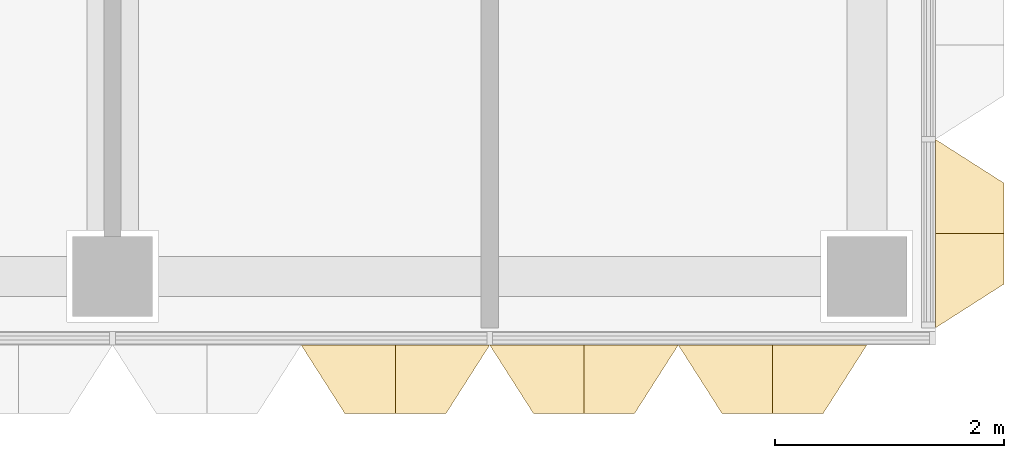
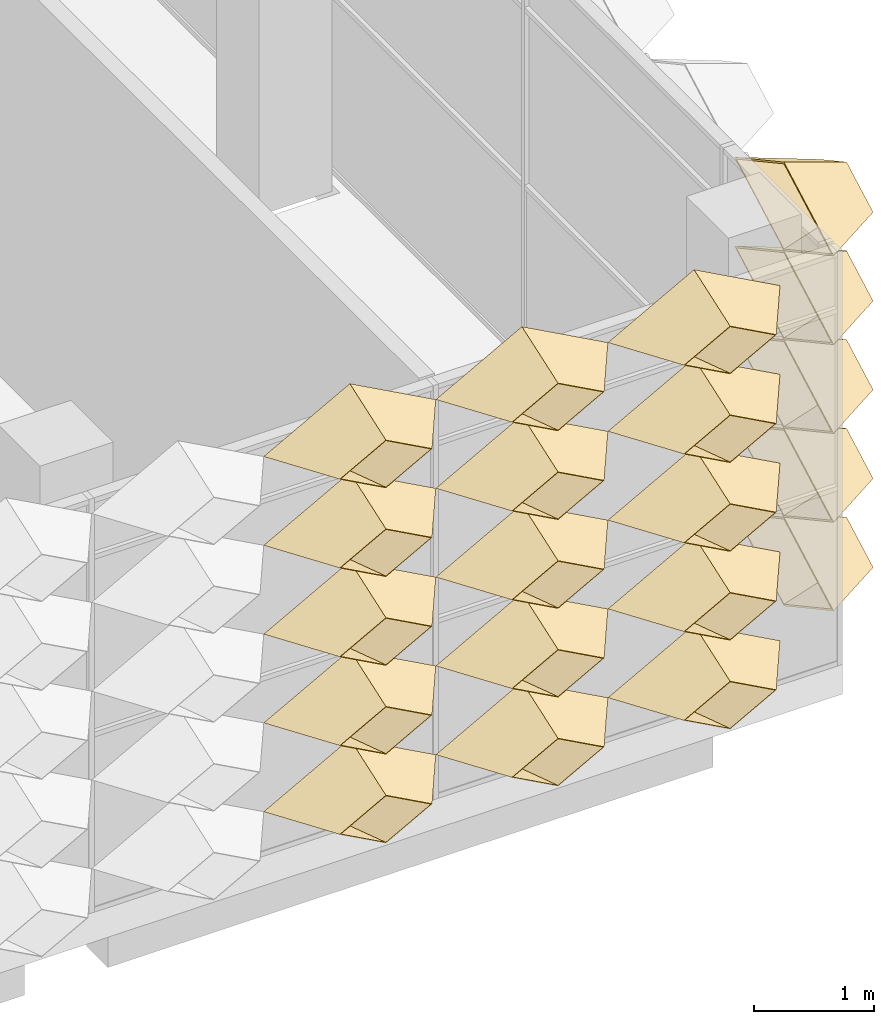
# One storey, part 17 of 29: 20 coverings.
"""IFC4 building model written with IfcOpenShell, lengths in metres."""

from ifc_helpers import new_model, entity, si_unit, direction, frame, origin, place, context, subcontext, project, spatial, material, layer, layer_set, type_object, element, save


model = new_model("IFC4")

# Units and contexts
model_context = context("Model", 3, precision=1e-05, world=origin(), true_north=direction((0.0, 1.0)))
body_context = subcontext(model_context, "Body", "Model", "MODEL_VIEW")
ifc_project = project(units=[si_unit("LENGTHUNIT", "METRE"), si_unit("AREAUNIT", "SQUARE_METRE"), si_unit("VOLUMEUNIT", "CUBIC_METRE"), si_unit("PLANEANGLEUNIT", "RADIAN"), si_unit("MASSUNIT", "GRAM", prefix="KILO")], contexts=[model_context])

# Site, building, storey
site_placement = place(None, origin())
site = spatial("IfcSite", under=ifc_project, at=site_placement, CompositionType="ELEMENT")
building_placement = place(site_placement, origin())
building = spatial("IfcBuilding", under=site, at=building_placement, Name="Lantern Court Research Institute", CompositionType="ELEMENT")
storey_placement = place(building_placement, frame((0.0, 0.0, 32.39990234375)))
storey = spatial("IfcBuildingStorey", under=building, at=storey_placement, Name="L07", CompositionType="ELEMENT", Elevation=32.39990234375)

# Coverings
ifc_material = material(Name="Anodised aluminium", Category="aluminium")
ifc_layer = layer(ifc_material, 0.01611328125)
ifc_layer_set = layer_set([ifc_layer], Name="Anodised aluminium")
covering_type = type_object("IfcCoveringType", Name="Fin cassette 1650 x 900 x 600 aluminium", PredefinedType="CLADDING", material=ifc_layer_set)
covering_1_placement = place(storey_placement, frame((79.800048828125, -7.425048828125, 0.4501953125), z_axis=(1.0, 0.0, 0.0), x_axis=(0.0, 1.0, 0.0)))
cartesian_point_1 = entity("IfcCartesianPoint", [0.824951171875, 0.0])
cartesian_point_2 = entity("IfcCartesianPoint", [0.79150390625, 0.0])
cartesian_point_3 = entity("IfcCartesianPoint", [0.44189453125, 0.0])
cartesian_point_4 = entity("IfcCartesianPoint", [0.43359375, 0.0])
element("IfcCovering", 1, at=covering_1_placement, inside=storey, type_object=covering_type, Name="Fin cassette V5E-L07 1.-4", PredefinedType="CLADDING", context=body_context, shape_type="SweptSolid", body=[
    entity("IfcExtrudedAreaSolidTapered", entity("IfcArbitraryProfileDefWithVoids", "AREA", None, entity("IfcPolyline", [cartesian_point_1, entity("IfcCartesianPoint", [0.0, 0.449951171875]), entity("IfcCartesianPoint", [-0.824951171875, 0.0]), entity("IfcCartesianPoint", [0.0, -0.449951171875]), cartesian_point_1]), [entity("IfcPolyline", [cartesian_point_2, entity("IfcCartesianPoint", [0.0, 0.431884765625]), entity("IfcCartesianPoint", [-0.79150390625, 0.0]), entity("IfcCartesianPoint", [0.0, -0.431884765625]), cartesian_point_2])]), entity("IfcAxis2Placement3D", entity("IfcCartesianPoint", [0.0, 0.0, 0.0])), entity("IfcDirection", [0.0, 0.0, 1.0]), 0.60009765625, entity("IfcArbitraryProfileDefWithVoids", "AREA", None, entity("IfcPolyline", [cartesian_point_3, entity("IfcCartesianPoint", [0.0, 0.240966796875]), entity("IfcCartesianPoint", [-0.44189453125, 0.0]), entity("IfcCartesianPoint", [0.0, -0.240966796875]), cartesian_point_3]), [entity("IfcPolyline", [cartesian_point_4, entity("IfcCartesianPoint", [0.0, 0.236572265625]), entity("IfcCartesianPoint", [-0.43359375, 0.0]), entity("IfcCartesianPoint", [0.0, -0.236572265625]), cartesian_point_4])])),
])
covering_2_placement = place(storey_placement, frame((79.800048828125, -7.425048828125, 1.35009765625), z_axis=(1.0, 0.0, 0.0), x_axis=(0.0, 1.0, 0.0)))
cartesian_point_5 = entity("IfcCartesianPoint", [0.824951171875, 0.0])
cartesian_point_6 = entity("IfcCartesianPoint", [0.79150390625, 0.0])
cartesian_point_7 = entity("IfcCartesianPoint", [0.44189453125, 0.0])
cartesian_point_8 = entity("IfcCartesianPoint", [0.43359375, 0.0])
element("IfcCovering", 2, at=covering_2_placement, inside=storey, type_object=covering_type, Name="Fin cassette V5E-L07 2.-4", PredefinedType="CLADDING", context=body_context, shape_type="SweptSolid", body=[
    entity("IfcExtrudedAreaSolidTapered", entity("IfcArbitraryProfileDefWithVoids", "AREA", None, entity("IfcPolyline", [cartesian_point_5, entity("IfcCartesianPoint", [0.0, 0.449951171875]), entity("IfcCartesianPoint", [-0.824951171875, 0.0]), entity("IfcCartesianPoint", [0.0, -0.449951171875]), cartesian_point_5]), [entity("IfcPolyline", [cartesian_point_6, entity("IfcCartesianPoint", [0.0, 0.431884765625]), entity("IfcCartesianPoint", [-0.79150390625, 0.0]), entity("IfcCartesianPoint", [0.0, -0.431884765625]), cartesian_point_6])]), entity("IfcAxis2Placement3D", entity("IfcCartesianPoint", [0.0, 0.0, 0.0])), entity("IfcDirection", [0.0, 0.0, 1.0]), 0.60009765625, entity("IfcArbitraryProfileDefWithVoids", "AREA", None, entity("IfcPolyline", [cartesian_point_7, entity("IfcCartesianPoint", [0.0, 0.240966796875]), entity("IfcCartesianPoint", [-0.44189453125, 0.0]), entity("IfcCartesianPoint", [0.0, -0.240966796875]), cartesian_point_7]), [entity("IfcPolyline", [cartesian_point_8, entity("IfcCartesianPoint", [0.0, 0.236572265625]), entity("IfcCartesianPoint", [-0.43359375, 0.0]), entity("IfcCartesianPoint", [0.0, -0.236572265625]), cartesian_point_8])])),
])
covering_3_placement = place(storey_placement, frame((79.800048828125, -7.425048828125, 2.25), z_axis=(1.0, 0.0, 0.0), x_axis=(0.0, 1.0, 0.0)))
cartesian_point_9 = entity("IfcCartesianPoint", [0.824951171875, 0.0])
cartesian_point_10 = entity("IfcCartesianPoint", [0.79150390625, 0.0])
cartesian_point_11 = entity("IfcCartesianPoint", [0.44189453125, 0.0])
cartesian_point_12 = entity("IfcCartesianPoint", [0.43359375, 0.0])
element("IfcCovering", 3, at=covering_3_placement, inside=storey, type_object=covering_type, Name="Fin cassette V5E-L07 3.-4", PredefinedType="CLADDING", context=body_context, shape_type="SweptSolid", body=[
    entity("IfcExtrudedAreaSolidTapered", entity("IfcArbitraryProfileDefWithVoids", "AREA", None, entity("IfcPolyline", [cartesian_point_9, entity("IfcCartesianPoint", [0.0, 0.449951171875]), entity("IfcCartesianPoint", [-0.824951171875, 0.0]), entity("IfcCartesianPoint", [0.0, -0.449951171875]), cartesian_point_9]), [entity("IfcPolyline", [cartesian_point_10, entity("IfcCartesianPoint", [0.0, 0.431884765625]), entity("IfcCartesianPoint", [-0.79150390625, 0.0]), entity("IfcCartesianPoint", [0.0, -0.431884765625]), cartesian_point_10])]), entity("IfcAxis2Placement3D", entity("IfcCartesianPoint", [0.0, 0.0, 0.0])), entity("IfcDirection", [0.0, 0.0, 1.0]), 0.60009765625, entity("IfcArbitraryProfileDefWithVoids", "AREA", None, entity("IfcPolyline", [cartesian_point_11, entity("IfcCartesianPoint", [0.0, 0.240966796875]), entity("IfcCartesianPoint", [-0.44189453125, 0.0]), entity("IfcCartesianPoint", [0.0, -0.240966796875]), cartesian_point_11]), [entity("IfcPolyline", [cartesian_point_12, entity("IfcCartesianPoint", [0.0, 0.236572265625]), entity("IfcCartesianPoint", [-0.43359375, 0.0]), entity("IfcCartesianPoint", [0.0, -0.236572265625]), cartesian_point_12])])),
])
covering_4_placement = place(storey_placement, frame((79.800048828125, -7.425048828125, 3.150146484375), z_axis=(1.0, 0.0, 0.0), x_axis=(0.0, 1.0, 0.0)))
cartesian_point_13 = entity("IfcCartesianPoint", [0.824951171875, 0.0])
cartesian_point_14 = entity("IfcCartesianPoint", [0.79150390625, 0.0])
cartesian_point_15 = entity("IfcCartesianPoint", [0.44189453125, 0.0])
cartesian_point_16 = entity("IfcCartesianPoint", [0.43359375, 0.0])
element("IfcCovering", 4, at=covering_4_placement, inside=storey, type_object=covering_type, Name="Fin cassette V5E-L07 4.-4", PredefinedType="CLADDING", context=body_context, shape_type="SweptSolid", body=[
    entity("IfcExtrudedAreaSolidTapered", entity("IfcArbitraryProfileDefWithVoids", "AREA", None, entity("IfcPolyline", [cartesian_point_13, entity("IfcCartesianPoint", [0.0, 0.449951171875]), entity("IfcCartesianPoint", [-0.824951171875, 0.0]), entity("IfcCartesianPoint", [0.0, -0.449951171875]), cartesian_point_13]), [entity("IfcPolyline", [cartesian_point_14, entity("IfcCartesianPoint", [0.0, 0.431884765625]), entity("IfcCartesianPoint", [-0.79150390625, 0.0]), entity("IfcCartesianPoint", [0.0, -0.431884765625]), cartesian_point_14])]), entity("IfcAxis2Placement3D", entity("IfcCartesianPoint", [0.0, 0.0, 0.0])), entity("IfcDirection", [0.0, 0.0, 1.0]), 0.60009765625, entity("IfcArbitraryProfileDefWithVoids", "AREA", None, entity("IfcPolyline", [cartesian_point_15, entity("IfcCartesianPoint", [0.0, 0.240966796875]), entity("IfcCartesianPoint", [-0.44189453125, 0.0]), entity("IfcCartesianPoint", [0.0, -0.240966796875]), cartesian_point_15]), [entity("IfcPolyline", [cartesian_point_16, entity("IfcCartesianPoint", [0.0, 0.236572265625]), entity("IfcCartesianPoint", [-0.43359375, 0.0]), entity("IfcCartesianPoint", [0.0, -0.236572265625]), cartesian_point_16])])),
])
covering_5_placement = place(storey_placement, frame((79.800048828125, -7.425048828125, 4.050048828125), z_axis=(1.0, 0.0, 0.0), x_axis=(0.0, 1.0, 0.0)))
cartesian_point_17 = entity("IfcCartesianPoint", [0.824951171875, 0.0])
cartesian_point_18 = entity("IfcCartesianPoint", [0.79150390625, 0.0])
cartesian_point_19 = entity("IfcCartesianPoint", [0.44189453125, 0.0])
cartesian_point_20 = entity("IfcCartesianPoint", [0.43359375, 0.0])
element("IfcCovering", 5, at=covering_5_placement, inside=storey, type_object=covering_type, Name="Fin cassette V5E-L07 5.-4", PredefinedType="CLADDING", context=body_context, shape_type="SweptSolid", body=[
    entity("IfcExtrudedAreaSolidTapered", entity("IfcArbitraryProfileDefWithVoids", "AREA", None, entity("IfcPolyline", [cartesian_point_17, entity("IfcCartesianPoint", [0.0, 0.449951171875]), entity("IfcCartesianPoint", [-0.824951171875, 0.0]), entity("IfcCartesianPoint", [0.0, -0.449951171875]), cartesian_point_17]), [entity("IfcPolyline", [cartesian_point_18, entity("IfcCartesianPoint", [0.0, 0.431884765625]), entity("IfcCartesianPoint", [-0.79150390625, 0.0]), entity("IfcCartesianPoint", [0.0, -0.431884765625]), cartesian_point_18])]), entity("IfcAxis2Placement3D", entity("IfcCartesianPoint", [0.0, 0.0, 0.0])), entity("IfcDirection", [0.0, 0.0, 1.0]), 0.60009765625, entity("IfcArbitraryProfileDefWithVoids", "AREA", None, entity("IfcPolyline", [cartesian_point_19, entity("IfcCartesianPoint", [0.0, 0.240966796875]), entity("IfcCartesianPoint", [-0.44189453125, 0.0]), entity("IfcCartesianPoint", [0.0, -0.240966796875]), cartesian_point_19]), [entity("IfcPolyline", [cartesian_point_20, entity("IfcCartesianPoint", [0.0, 0.236572265625]), entity("IfcCartesianPoint", [-0.43359375, 0.0]), entity("IfcCartesianPoint", [0.0, -0.236572265625]), cartesian_point_20])])),
])
covering_6_placement = place(storey_placement, frame((75.074951171875, -8.39990234375, 0.4501953125), z_axis=(0.0, -1.0, 0.0), x_axis=(1.0, 0.0, 0.0)))
cartesian_point_21 = entity("IfcCartesianPoint", [0.824951171875, 0.0])
cartesian_point_22 = entity("IfcCartesianPoint", [0.79150390625, 0.0])
cartesian_point_23 = entity("IfcCartesianPoint", [0.44189453125, 0.0])
cartesian_point_24 = entity("IfcCartesianPoint", [0.43359375, 0.0])
element("IfcCovering", 6, at=covering_6_placement, inside=storey, type_object=covering_type, Name="Fin cassette V5S-L07 1.46", PredefinedType="CLADDING", context=body_context, shape_type="SweptSolid", body=[
    entity("IfcExtrudedAreaSolidTapered", entity("IfcArbitraryProfileDefWithVoids", "AREA", None, entity("IfcPolyline", [cartesian_point_21, entity("IfcCartesianPoint", [0.0, 0.449951171875]), entity("IfcCartesianPoint", [-0.824951171875, 0.0]), entity("IfcCartesianPoint", [0.0, -0.449951171875]), cartesian_point_21]), [entity("IfcPolyline", [cartesian_point_22, entity("IfcCartesianPoint", [0.0, 0.431884765625]), entity("IfcCartesianPoint", [-0.79150390625, 0.0]), entity("IfcCartesianPoint", [0.0, -0.431884765625]), cartesian_point_22])]), entity("IfcAxis2Placement3D", entity("IfcCartesianPoint", [0.0, 0.0, 0.0])), entity("IfcDirection", [0.0, 0.0, 1.0]), 0.60009765625, entity("IfcArbitraryProfileDefWithVoids", "AREA", None, entity("IfcPolyline", [cartesian_point_23, entity("IfcCartesianPoint", [0.0, 0.240966796875]), entity("IfcCartesianPoint", [-0.44189453125, 0.0]), entity("IfcCartesianPoint", [0.0, -0.240966796875]), cartesian_point_23]), [entity("IfcPolyline", [cartesian_point_24, entity("IfcCartesianPoint", [0.0, 0.236572265625]), entity("IfcCartesianPoint", [-0.43359375, 0.0]), entity("IfcCartesianPoint", [0.0, -0.236572265625]), cartesian_point_24])])),
])
covering_7_placement = place(storey_placement, frame((76.72509765625, -8.39990234375, 0.4501953125), z_axis=(0.0, -1.0, 0.0), x_axis=(1.0, 0.0, 0.0)))
cartesian_point_25 = entity("IfcCartesianPoint", [0.824951171875, 0.0])
cartesian_point_26 = entity("IfcCartesianPoint", [0.79150390625, 0.0])
cartesian_point_27 = entity("IfcCartesianPoint", [0.44189453125, 0.0])
cartesian_point_28 = entity("IfcCartesianPoint", [0.43359375, 0.0])
element("IfcCovering", 7, at=covering_7_placement, inside=storey, type_object=covering_type, Name="Fin cassette V5S-L07 1.47", PredefinedType="CLADDING", context=body_context, shape_type="SweptSolid", body=[
    entity("IfcExtrudedAreaSolidTapered", entity("IfcArbitraryProfileDefWithVoids", "AREA", None, entity("IfcPolyline", [cartesian_point_25, entity("IfcCartesianPoint", [0.0, 0.449951171875]), entity("IfcCartesianPoint", [-0.824951171875, 0.0]), entity("IfcCartesianPoint", [0.0, -0.449951171875]), cartesian_point_25]), [entity("IfcPolyline", [cartesian_point_26, entity("IfcCartesianPoint", [0.0, 0.431884765625]), entity("IfcCartesianPoint", [-0.79150390625, 0.0]), entity("IfcCartesianPoint", [0.0, -0.431884765625]), cartesian_point_26])]), entity("IfcAxis2Placement3D", entity("IfcCartesianPoint", [0.0, 0.0, 0.0])), entity("IfcDirection", [0.0, 0.0, 1.0]), 0.60009765625, entity("IfcArbitraryProfileDefWithVoids", "AREA", None, entity("IfcPolyline", [cartesian_point_27, entity("IfcCartesianPoint", [0.0, 0.240966796875]), entity("IfcCartesianPoint", [-0.44189453125, 0.0]), entity("IfcCartesianPoint", [0.0, -0.240966796875]), cartesian_point_27]), [entity("IfcPolyline", [cartesian_point_28, entity("IfcCartesianPoint", [0.0, 0.236572265625]), entity("IfcCartesianPoint", [-0.43359375, 0.0]), entity("IfcCartesianPoint", [0.0, -0.236572265625]), cartesian_point_28])])),
])
covering_8_placement = place(storey_placement, frame((78.375, -8.39990234375, 0.4501953125), z_axis=(0.0, -1.0, 0.0), x_axis=(1.0, 0.0, 0.0)))
cartesian_point_29 = entity("IfcCartesianPoint", [0.824951171875, 0.0])
cartesian_point_30 = entity("IfcCartesianPoint", [0.79150390625, 0.0])
cartesian_point_31 = entity("IfcCartesianPoint", [0.44189453125, 0.0])
cartesian_point_32 = entity("IfcCartesianPoint", [0.43359375, 0.0])
element("IfcCovering", 8, at=covering_8_placement, inside=storey, type_object=covering_type, Name="Fin cassette V5S-L07 1.48", PredefinedType="CLADDING", context=body_context, shape_type="SweptSolid", body=[
    entity("IfcExtrudedAreaSolidTapered", entity("IfcArbitraryProfileDefWithVoids", "AREA", None, entity("IfcPolyline", [cartesian_point_29, entity("IfcCartesianPoint", [0.0, 0.449951171875]), entity("IfcCartesianPoint", [-0.824951171875, 0.0]), entity("IfcCartesianPoint", [0.0, -0.449951171875]), cartesian_point_29]), [entity("IfcPolyline", [cartesian_point_30, entity("IfcCartesianPoint", [0.0, 0.431884765625]), entity("IfcCartesianPoint", [-0.79150390625, 0.0]), entity("IfcCartesianPoint", [0.0, -0.431884765625]), cartesian_point_30])]), entity("IfcAxis2Placement3D", entity("IfcCartesianPoint", [0.0, 0.0, 0.0])), entity("IfcDirection", [0.0, 0.0, 1.0]), 0.60009765625, entity("IfcArbitraryProfileDefWithVoids", "AREA", None, entity("IfcPolyline", [cartesian_point_31, entity("IfcCartesianPoint", [0.0, 0.240966796875]), entity("IfcCartesianPoint", [-0.44189453125, 0.0]), entity("IfcCartesianPoint", [0.0, -0.240966796875]), cartesian_point_31]), [entity("IfcPolyline", [cartesian_point_32, entity("IfcCartesianPoint", [0.0, 0.236572265625]), entity("IfcCartesianPoint", [-0.43359375, 0.0]), entity("IfcCartesianPoint", [0.0, -0.236572265625]), cartesian_point_32])])),
])
covering_9_placement = place(storey_placement, frame((75.074951171875, -8.39990234375, 1.35009765625), z_axis=(0.0, -1.0, 0.0), x_axis=(1.0, 0.0, 0.0)))
cartesian_point_33 = entity("IfcCartesianPoint", [0.824951171875, 0.0])
cartesian_point_34 = entity("IfcCartesianPoint", [0.79150390625, 0.0])
cartesian_point_35 = entity("IfcCartesianPoint", [0.44189453125, 0.0])
cartesian_point_36 = entity("IfcCartesianPoint", [0.43359375, 0.0])
element("IfcCovering", 9, at=covering_9_placement, inside=storey, type_object=covering_type, Name="Fin cassette V5S-L07 2.46", PredefinedType="CLADDING", context=body_context, shape_type="SweptSolid", body=[
    entity("IfcExtrudedAreaSolidTapered", entity("IfcArbitraryProfileDefWithVoids", "AREA", None, entity("IfcPolyline", [cartesian_point_33, entity("IfcCartesianPoint", [0.0, 0.449951171875]), entity("IfcCartesianPoint", [-0.824951171875, 0.0]), entity("IfcCartesianPoint", [0.0, -0.449951171875]), cartesian_point_33]), [entity("IfcPolyline", [cartesian_point_34, entity("IfcCartesianPoint", [0.0, 0.431884765625]), entity("IfcCartesianPoint", [-0.79150390625, 0.0]), entity("IfcCartesianPoint", [0.0, -0.431884765625]), cartesian_point_34])]), entity("IfcAxis2Placement3D", entity("IfcCartesianPoint", [0.0, 0.0, 0.0])), entity("IfcDirection", [0.0, 0.0, 1.0]), 0.60009765625, entity("IfcArbitraryProfileDefWithVoids", "AREA", None, entity("IfcPolyline", [cartesian_point_35, entity("IfcCartesianPoint", [0.0, 0.240966796875]), entity("IfcCartesianPoint", [-0.44189453125, 0.0]), entity("IfcCartesianPoint", [0.0, -0.240966796875]), cartesian_point_35]), [entity("IfcPolyline", [cartesian_point_36, entity("IfcCartesianPoint", [0.0, 0.236572265625]), entity("IfcCartesianPoint", [-0.43359375, 0.0]), entity("IfcCartesianPoint", [0.0, -0.236572265625]), cartesian_point_36])])),
])
covering_10_placement = place(storey_placement, frame((76.72509765625, -8.39990234375, 1.35009765625), z_axis=(0.0, -1.0, 0.0), x_axis=(1.0, 0.0, 0.0)))
cartesian_point_37 = entity("IfcCartesianPoint", [0.824951171875, 0.0])
cartesian_point_38 = entity("IfcCartesianPoint", [0.79150390625, 0.0])
cartesian_point_39 = entity("IfcCartesianPoint", [0.44189453125, 0.0])
cartesian_point_40 = entity("IfcCartesianPoint", [0.43359375, 0.0])
element("IfcCovering", 10, at=covering_10_placement, inside=storey, type_object=covering_type, Name="Fin cassette V5S-L07 2.47", PredefinedType="CLADDING", context=body_context, shape_type="SweptSolid", body=[
    entity("IfcExtrudedAreaSolidTapered", entity("IfcArbitraryProfileDefWithVoids", "AREA", None, entity("IfcPolyline", [cartesian_point_37, entity("IfcCartesianPoint", [0.0, 0.449951171875]), entity("IfcCartesianPoint", [-0.824951171875, 0.0]), entity("IfcCartesianPoint", [0.0, -0.449951171875]), cartesian_point_37]), [entity("IfcPolyline", [cartesian_point_38, entity("IfcCartesianPoint", [0.0, 0.431884765625]), entity("IfcCartesianPoint", [-0.79150390625, 0.0]), entity("IfcCartesianPoint", [0.0, -0.431884765625]), cartesian_point_38])]), entity("IfcAxis2Placement3D", entity("IfcCartesianPoint", [0.0, 0.0, 0.0])), entity("IfcDirection", [0.0, 0.0, 1.0]), 0.60009765625, entity("IfcArbitraryProfileDefWithVoids", "AREA", None, entity("IfcPolyline", [cartesian_point_39, entity("IfcCartesianPoint", [0.0, 0.240966796875]), entity("IfcCartesianPoint", [-0.44189453125, 0.0]), entity("IfcCartesianPoint", [0.0, -0.240966796875]), cartesian_point_39]), [entity("IfcPolyline", [cartesian_point_40, entity("IfcCartesianPoint", [0.0, 0.236572265625]), entity("IfcCartesianPoint", [-0.43359375, 0.0]), entity("IfcCartesianPoint", [0.0, -0.236572265625]), cartesian_point_40])])),
])
covering_11_placement = place(storey_placement, frame((78.375, -8.39990234375, 1.35009765625), z_axis=(0.0, -1.0, 0.0), x_axis=(1.0, 0.0, 0.0)))
cartesian_point_41 = entity("IfcCartesianPoint", [0.824951171875, 0.0])
cartesian_point_42 = entity("IfcCartesianPoint", [0.79150390625, 0.0])
cartesian_point_43 = entity("IfcCartesianPoint", [0.44189453125, 0.0])
cartesian_point_44 = entity("IfcCartesianPoint", [0.43359375, 0.0])
element("IfcCovering", 11, at=covering_11_placement, inside=storey, type_object=covering_type, Name="Fin cassette V5S-L07 2.48", PredefinedType="CLADDING", context=body_context, shape_type="SweptSolid", body=[
    entity("IfcExtrudedAreaSolidTapered", entity("IfcArbitraryProfileDefWithVoids", "AREA", None, entity("IfcPolyline", [cartesian_point_41, entity("IfcCartesianPoint", [0.0, 0.449951171875]), entity("IfcCartesianPoint", [-0.824951171875, 0.0]), entity("IfcCartesianPoint", [0.0, -0.449951171875]), cartesian_point_41]), [entity("IfcPolyline", [cartesian_point_42, entity("IfcCartesianPoint", [0.0, 0.431884765625]), entity("IfcCartesianPoint", [-0.79150390625, 0.0]), entity("IfcCartesianPoint", [0.0, -0.431884765625]), cartesian_point_42])]), entity("IfcAxis2Placement3D", entity("IfcCartesianPoint", [0.0, 0.0, 0.0])), entity("IfcDirection", [0.0, 0.0, 1.0]), 0.60009765625, entity("IfcArbitraryProfileDefWithVoids", "AREA", None, entity("IfcPolyline", [cartesian_point_43, entity("IfcCartesianPoint", [0.0, 0.240966796875]), entity("IfcCartesianPoint", [-0.44189453125, 0.0]), entity("IfcCartesianPoint", [0.0, -0.240966796875]), cartesian_point_43]), [entity("IfcPolyline", [cartesian_point_44, entity("IfcCartesianPoint", [0.0, 0.236572265625]), entity("IfcCartesianPoint", [-0.43359375, 0.0]), entity("IfcCartesianPoint", [0.0, -0.236572265625]), cartesian_point_44])])),
])
covering_12_placement = place(storey_placement, frame((75.074951171875, -8.39990234375, 2.25), z_axis=(0.0, -1.0, 0.0), x_axis=(1.0, 0.0, 0.0)))
cartesian_point_45 = entity("IfcCartesianPoint", [0.824951171875, 0.0])
cartesian_point_46 = entity("IfcCartesianPoint", [0.79150390625, 0.0])
cartesian_point_47 = entity("IfcCartesianPoint", [0.44189453125, 0.0])
cartesian_point_48 = entity("IfcCartesianPoint", [0.43359375, 0.0])
element("IfcCovering", 12, at=covering_12_placement, inside=storey, type_object=covering_type, Name="Fin cassette V5S-L07 3.46", PredefinedType="CLADDING", context=body_context, shape_type="SweptSolid", body=[
    entity("IfcExtrudedAreaSolidTapered", entity("IfcArbitraryProfileDefWithVoids", "AREA", None, entity("IfcPolyline", [cartesian_point_45, entity("IfcCartesianPoint", [0.0, 0.449951171875]), entity("IfcCartesianPoint", [-0.824951171875, 0.0]), entity("IfcCartesianPoint", [0.0, -0.449951171875]), cartesian_point_45]), [entity("IfcPolyline", [cartesian_point_46, entity("IfcCartesianPoint", [0.0, 0.431884765625]), entity("IfcCartesianPoint", [-0.79150390625, 0.0]), entity("IfcCartesianPoint", [0.0, -0.431884765625]), cartesian_point_46])]), entity("IfcAxis2Placement3D", entity("IfcCartesianPoint", [0.0, 0.0, 0.0])), entity("IfcDirection", [0.0, 0.0, 1.0]), 0.60009765625, entity("IfcArbitraryProfileDefWithVoids", "AREA", None, entity("IfcPolyline", [cartesian_point_47, entity("IfcCartesianPoint", [0.0, 0.240966796875]), entity("IfcCartesianPoint", [-0.44189453125, 0.0]), entity("IfcCartesianPoint", [0.0, -0.240966796875]), cartesian_point_47]), [entity("IfcPolyline", [cartesian_point_48, entity("IfcCartesianPoint", [0.0, 0.236572265625]), entity("IfcCartesianPoint", [-0.43359375, 0.0]), entity("IfcCartesianPoint", [0.0, -0.236572265625]), cartesian_point_48])])),
])
covering_13_placement = place(storey_placement, frame((76.72509765625, -8.39990234375, 2.25), z_axis=(0.0, -1.0, 0.0), x_axis=(1.0, 0.0, 0.0)))
cartesian_point_49 = entity("IfcCartesianPoint", [0.824951171875, 0.0])
cartesian_point_50 = entity("IfcCartesianPoint", [0.79150390625, 0.0])
cartesian_point_51 = entity("IfcCartesianPoint", [0.44189453125, 0.0])
cartesian_point_52 = entity("IfcCartesianPoint", [0.43359375, 0.0])
element("IfcCovering", 13, at=covering_13_placement, inside=storey, type_object=covering_type, Name="Fin cassette V5S-L07 3.47", PredefinedType="CLADDING", context=body_context, shape_type="SweptSolid", body=[
    entity("IfcExtrudedAreaSolidTapered", entity("IfcArbitraryProfileDefWithVoids", "AREA", None, entity("IfcPolyline", [cartesian_point_49, entity("IfcCartesianPoint", [0.0, 0.449951171875]), entity("IfcCartesianPoint", [-0.824951171875, 0.0]), entity("IfcCartesianPoint", [0.0, -0.449951171875]), cartesian_point_49]), [entity("IfcPolyline", [cartesian_point_50, entity("IfcCartesianPoint", [0.0, 0.431884765625]), entity("IfcCartesianPoint", [-0.79150390625, 0.0]), entity("IfcCartesianPoint", [0.0, -0.431884765625]), cartesian_point_50])]), entity("IfcAxis2Placement3D", entity("IfcCartesianPoint", [0.0, 0.0, 0.0])), entity("IfcDirection", [0.0, 0.0, 1.0]), 0.60009765625, entity("IfcArbitraryProfileDefWithVoids", "AREA", None, entity("IfcPolyline", [cartesian_point_51, entity("IfcCartesianPoint", [0.0, 0.240966796875]), entity("IfcCartesianPoint", [-0.44189453125, 0.0]), entity("IfcCartesianPoint", [0.0, -0.240966796875]), cartesian_point_51]), [entity("IfcPolyline", [cartesian_point_52, entity("IfcCartesianPoint", [0.0, 0.236572265625]), entity("IfcCartesianPoint", [-0.43359375, 0.0]), entity("IfcCartesianPoint", [0.0, -0.236572265625]), cartesian_point_52])])),
])
covering_14_placement = place(storey_placement, frame((78.375, -8.39990234375, 2.25), z_axis=(0.0, -1.0, 0.0), x_axis=(1.0, 0.0, 0.0)))
cartesian_point_53 = entity("IfcCartesianPoint", [0.824951171875, 0.0])
cartesian_point_54 = entity("IfcCartesianPoint", [0.79150390625, 0.0])
cartesian_point_55 = entity("IfcCartesianPoint", [0.44189453125, 0.0])
cartesian_point_56 = entity("IfcCartesianPoint", [0.43359375, 0.0])
element("IfcCovering", 14, at=covering_14_placement, inside=storey, type_object=covering_type, Name="Fin cassette V5S-L07 3.48", PredefinedType="CLADDING", context=body_context, shape_type="SweptSolid", body=[
    entity("IfcExtrudedAreaSolidTapered", entity("IfcArbitraryProfileDefWithVoids", "AREA", None, entity("IfcPolyline", [cartesian_point_53, entity("IfcCartesianPoint", [0.0, 0.449951171875]), entity("IfcCartesianPoint", [-0.824951171875, 0.0]), entity("IfcCartesianPoint", [0.0, -0.449951171875]), cartesian_point_53]), [entity("IfcPolyline", [cartesian_point_54, entity("IfcCartesianPoint", [0.0, 0.431884765625]), entity("IfcCartesianPoint", [-0.79150390625, 0.0]), entity("IfcCartesianPoint", [0.0, -0.431884765625]), cartesian_point_54])]), entity("IfcAxis2Placement3D", entity("IfcCartesianPoint", [0.0, 0.0, 0.0])), entity("IfcDirection", [0.0, 0.0, 1.0]), 0.60009765625, entity("IfcArbitraryProfileDefWithVoids", "AREA", None, entity("IfcPolyline", [cartesian_point_55, entity("IfcCartesianPoint", [0.0, 0.240966796875]), entity("IfcCartesianPoint", [-0.44189453125, 0.0]), entity("IfcCartesianPoint", [0.0, -0.240966796875]), cartesian_point_55]), [entity("IfcPolyline", [cartesian_point_56, entity("IfcCartesianPoint", [0.0, 0.236572265625]), entity("IfcCartesianPoint", [-0.43359375, 0.0]), entity("IfcCartesianPoint", [0.0, -0.236572265625]), cartesian_point_56])])),
])
covering_15_placement = place(storey_placement, frame((75.074951171875, -8.39990234375, 3.150146484375), z_axis=(0.0, -1.0, 0.0), x_axis=(1.0, 0.0, 0.0)))
cartesian_point_57 = entity("IfcCartesianPoint", [0.824951171875, 0.0])
cartesian_point_58 = entity("IfcCartesianPoint", [0.79150390625, 0.0])
cartesian_point_59 = entity("IfcCartesianPoint", [0.44189453125, 0.0])
cartesian_point_60 = entity("IfcCartesianPoint", [0.43359375, 0.0])
element("IfcCovering", 15, at=covering_15_placement, inside=storey, type_object=covering_type, Name="Fin cassette V5S-L07 4.46", PredefinedType="CLADDING", context=body_context, shape_type="SweptSolid", body=[
    entity("IfcExtrudedAreaSolidTapered", entity("IfcArbitraryProfileDefWithVoids", "AREA", None, entity("IfcPolyline", [cartesian_point_57, entity("IfcCartesianPoint", [0.0, 0.449951171875]), entity("IfcCartesianPoint", [-0.824951171875, 0.0]), entity("IfcCartesianPoint", [0.0, -0.449951171875]), cartesian_point_57]), [entity("IfcPolyline", [cartesian_point_58, entity("IfcCartesianPoint", [0.0, 0.431884765625]), entity("IfcCartesianPoint", [-0.79150390625, 0.0]), entity("IfcCartesianPoint", [0.0, -0.431884765625]), cartesian_point_58])]), entity("IfcAxis2Placement3D", entity("IfcCartesianPoint", [0.0, 0.0, 0.0])), entity("IfcDirection", [0.0, 0.0, 1.0]), 0.60009765625, entity("IfcArbitraryProfileDefWithVoids", "AREA", None, entity("IfcPolyline", [cartesian_point_59, entity("IfcCartesianPoint", [0.0, 0.240966796875]), entity("IfcCartesianPoint", [-0.44189453125, 0.0]), entity("IfcCartesianPoint", [0.0, -0.240966796875]), cartesian_point_59]), [entity("IfcPolyline", [cartesian_point_60, entity("IfcCartesianPoint", [0.0, 0.236572265625]), entity("IfcCartesianPoint", [-0.43359375, 0.0]), entity("IfcCartesianPoint", [0.0, -0.236572265625]), cartesian_point_60])])),
])
covering_16_placement = place(storey_placement, frame((76.72509765625, -8.39990234375, 3.150146484375), z_axis=(0.0, -1.0, 0.0), x_axis=(1.0, 0.0, 0.0)))
cartesian_point_61 = entity("IfcCartesianPoint", [0.824951171875, 0.0])
cartesian_point_62 = entity("IfcCartesianPoint", [0.79150390625, 0.0])
cartesian_point_63 = entity("IfcCartesianPoint", [0.44189453125, 0.0])
cartesian_point_64 = entity("IfcCartesianPoint", [0.43359375, 0.0])
element("IfcCovering", 16, at=covering_16_placement, inside=storey, type_object=covering_type, Name="Fin cassette V5S-L07 4.47", PredefinedType="CLADDING", context=body_context, shape_type="SweptSolid", body=[
    entity("IfcExtrudedAreaSolidTapered", entity("IfcArbitraryProfileDefWithVoids", "AREA", None, entity("IfcPolyline", [cartesian_point_61, entity("IfcCartesianPoint", [0.0, 0.449951171875]), entity("IfcCartesianPoint", [-0.824951171875, 0.0]), entity("IfcCartesianPoint", [0.0, -0.449951171875]), cartesian_point_61]), [entity("IfcPolyline", [cartesian_point_62, entity("IfcCartesianPoint", [0.0, 0.431884765625]), entity("IfcCartesianPoint", [-0.79150390625, 0.0]), entity("IfcCartesianPoint", [0.0, -0.431884765625]), cartesian_point_62])]), entity("IfcAxis2Placement3D", entity("IfcCartesianPoint", [0.0, 0.0, 0.0])), entity("IfcDirection", [0.0, 0.0, 1.0]), 0.60009765625, entity("IfcArbitraryProfileDefWithVoids", "AREA", None, entity("IfcPolyline", [cartesian_point_63, entity("IfcCartesianPoint", [0.0, 0.240966796875]), entity("IfcCartesianPoint", [-0.44189453125, 0.0]), entity("IfcCartesianPoint", [0.0, -0.240966796875]), cartesian_point_63]), [entity("IfcPolyline", [cartesian_point_64, entity("IfcCartesianPoint", [0.0, 0.236572265625]), entity("IfcCartesianPoint", [-0.43359375, 0.0]), entity("IfcCartesianPoint", [0.0, -0.236572265625]), cartesian_point_64])])),
])
covering_17_placement = place(storey_placement, frame((78.375, -8.39990234375, 3.150146484375), z_axis=(0.0, -1.0, 0.0), x_axis=(1.0, 0.0, 0.0)))
cartesian_point_65 = entity("IfcCartesianPoint", [0.824951171875, 0.0])
cartesian_point_66 = entity("IfcCartesianPoint", [0.79150390625, 0.0])
cartesian_point_67 = entity("IfcCartesianPoint", [0.44189453125, 0.0])
cartesian_point_68 = entity("IfcCartesianPoint", [0.43359375, 0.0])
element("IfcCovering", 17, at=covering_17_placement, inside=storey, type_object=covering_type, Name="Fin cassette V5S-L07 4.48", PredefinedType="CLADDING", context=body_context, shape_type="SweptSolid", body=[
    entity("IfcExtrudedAreaSolidTapered", entity("IfcArbitraryProfileDefWithVoids", "AREA", None, entity("IfcPolyline", [cartesian_point_65, entity("IfcCartesianPoint", [0.0, 0.449951171875]), entity("IfcCartesianPoint", [-0.824951171875, 0.0]), entity("IfcCartesianPoint", [0.0, -0.449951171875]), cartesian_point_65]), [entity("IfcPolyline", [cartesian_point_66, entity("IfcCartesianPoint", [0.0, 0.431884765625]), entity("IfcCartesianPoint", [-0.79150390625, 0.0]), entity("IfcCartesianPoint", [0.0, -0.431884765625]), cartesian_point_66])]), entity("IfcAxis2Placement3D", entity("IfcCartesianPoint", [0.0, 0.0, 0.0])), entity("IfcDirection", [0.0, 0.0, 1.0]), 0.60009765625, entity("IfcArbitraryProfileDefWithVoids", "AREA", None, entity("IfcPolyline", [cartesian_point_67, entity("IfcCartesianPoint", [0.0, 0.240966796875]), entity("IfcCartesianPoint", [-0.44189453125, 0.0]), entity("IfcCartesianPoint", [0.0, -0.240966796875]), cartesian_point_67]), [entity("IfcPolyline", [cartesian_point_68, entity("IfcCartesianPoint", [0.0, 0.236572265625]), entity("IfcCartesianPoint", [-0.43359375, 0.0]), entity("IfcCartesianPoint", [0.0, -0.236572265625]), cartesian_point_68])])),
])
covering_18_placement = place(storey_placement, frame((75.074951171875, -8.39990234375, 4.050048828125), z_axis=(0.0, -1.0, 0.0), x_axis=(1.0, 0.0, 0.0)))
cartesian_point_69 = entity("IfcCartesianPoint", [0.824951171875, 0.0])
cartesian_point_70 = entity("IfcCartesianPoint", [0.79150390625, 0.0])
cartesian_point_71 = entity("IfcCartesianPoint", [0.44189453125, 0.0])
cartesian_point_72 = entity("IfcCartesianPoint", [0.43359375, 0.0])
element("IfcCovering", 18, at=covering_18_placement, inside=storey, type_object=covering_type, Name="Fin cassette V5S-L07 5.46", PredefinedType="CLADDING", context=body_context, shape_type="SweptSolid", body=[
    entity("IfcExtrudedAreaSolidTapered", entity("IfcArbitraryProfileDefWithVoids", "AREA", None, entity("IfcPolyline", [cartesian_point_69, entity("IfcCartesianPoint", [0.0, 0.449951171875]), entity("IfcCartesianPoint", [-0.824951171875, 0.0]), entity("IfcCartesianPoint", [0.0, -0.449951171875]), cartesian_point_69]), [entity("IfcPolyline", [cartesian_point_70, entity("IfcCartesianPoint", [0.0, 0.431884765625]), entity("IfcCartesianPoint", [-0.79150390625, 0.0]), entity("IfcCartesianPoint", [0.0, -0.431884765625]), cartesian_point_70])]), entity("IfcAxis2Placement3D", entity("IfcCartesianPoint", [0.0, 0.0, 0.0])), entity("IfcDirection", [0.0, 0.0, 1.0]), 0.60009765625, entity("IfcArbitraryProfileDefWithVoids", "AREA", None, entity("IfcPolyline", [cartesian_point_71, entity("IfcCartesianPoint", [0.0, 0.240966796875]), entity("IfcCartesianPoint", [-0.44189453125, 0.0]), entity("IfcCartesianPoint", [0.0, -0.240966796875]), cartesian_point_71]), [entity("IfcPolyline", [cartesian_point_72, entity("IfcCartesianPoint", [0.0, 0.236572265625]), entity("IfcCartesianPoint", [-0.43359375, 0.0]), entity("IfcCartesianPoint", [0.0, -0.236572265625]), cartesian_point_72])])),
])
covering_19_placement = place(storey_placement, frame((76.72509765625, -8.39990234375, 4.050048828125), z_axis=(0.0, -1.0, 0.0), x_axis=(1.0, 0.0, 0.0)))
cartesian_point_73 = entity("IfcCartesianPoint", [0.824951171875, 0.0])
cartesian_point_74 = entity("IfcCartesianPoint", [0.79150390625, 0.0])
cartesian_point_75 = entity("IfcCartesianPoint", [0.44189453125, 0.0])
cartesian_point_76 = entity("IfcCartesianPoint", [0.43359375, 0.0])
element("IfcCovering", 19, at=covering_19_placement, inside=storey, type_object=covering_type, Name="Fin cassette V5S-L07 5.47", PredefinedType="CLADDING", context=body_context, shape_type="SweptSolid", body=[
    entity("IfcExtrudedAreaSolidTapered", entity("IfcArbitraryProfileDefWithVoids", "AREA", None, entity("IfcPolyline", [cartesian_point_73, entity("IfcCartesianPoint", [0.0, 0.449951171875]), entity("IfcCartesianPoint", [-0.824951171875, 0.0]), entity("IfcCartesianPoint", [0.0, -0.449951171875]), cartesian_point_73]), [entity("IfcPolyline", [cartesian_point_74, entity("IfcCartesianPoint", [0.0, 0.431884765625]), entity("IfcCartesianPoint", [-0.79150390625, 0.0]), entity("IfcCartesianPoint", [0.0, -0.431884765625]), cartesian_point_74])]), entity("IfcAxis2Placement3D", entity("IfcCartesianPoint", [0.0, 0.0, 0.0])), entity("IfcDirection", [0.0, 0.0, 1.0]), 0.60009765625, entity("IfcArbitraryProfileDefWithVoids", "AREA", None, entity("IfcPolyline", [cartesian_point_75, entity("IfcCartesianPoint", [0.0, 0.240966796875]), entity("IfcCartesianPoint", [-0.44189453125, 0.0]), entity("IfcCartesianPoint", [0.0, -0.240966796875]), cartesian_point_75]), [entity("IfcPolyline", [cartesian_point_76, entity("IfcCartesianPoint", [0.0, 0.236572265625]), entity("IfcCartesianPoint", [-0.43359375, 0.0]), entity("IfcCartesianPoint", [0.0, -0.236572265625]), cartesian_point_76])])),
])
covering_20_placement = place(storey_placement, frame((78.375, -8.39990234375, 4.050048828125), z_axis=(0.0, -1.0, 0.0), x_axis=(1.0, 0.0, 0.0)))
cartesian_point_77 = entity("IfcCartesianPoint", [0.824951171875, 0.0])
cartesian_point_78 = entity("IfcCartesianPoint", [0.79150390625, 0.0])
cartesian_point_79 = entity("IfcCartesianPoint", [0.44189453125, 0.0])
cartesian_point_80 = entity("IfcCartesianPoint", [0.43359375, 0.0])
element("IfcCovering", 20, at=covering_20_placement, inside=storey, type_object=covering_type, Name="Fin cassette V5S-L07 5.48", PredefinedType="CLADDING", context=body_context, shape_type="SweptSolid", body=[
    entity("IfcExtrudedAreaSolidTapered", entity("IfcArbitraryProfileDefWithVoids", "AREA", None, entity("IfcPolyline", [cartesian_point_77, entity("IfcCartesianPoint", [0.0, 0.449951171875]), entity("IfcCartesianPoint", [-0.824951171875, 0.0]), entity("IfcCartesianPoint", [0.0, -0.449951171875]), cartesian_point_77]), [entity("IfcPolyline", [cartesian_point_78, entity("IfcCartesianPoint", [0.0, 0.431884765625]), entity("IfcCartesianPoint", [-0.79150390625, 0.0]), entity("IfcCartesianPoint", [0.0, -0.431884765625]), cartesian_point_78])]), entity("IfcAxis2Placement3D", entity("IfcCartesianPoint", [0.0, 0.0, 0.0])), entity("IfcDirection", [0.0, 0.0, 1.0]), 0.60009765625, entity("IfcArbitraryProfileDefWithVoids", "AREA", None, entity("IfcPolyline", [cartesian_point_79, entity("IfcCartesianPoint", [0.0, 0.240966796875]), entity("IfcCartesianPoint", [-0.44189453125, 0.0]), entity("IfcCartesianPoint", [0.0, -0.240966796875]), cartesian_point_79]), [entity("IfcPolyline", [cartesian_point_80, entity("IfcCartesianPoint", [0.0, 0.236572265625]), entity("IfcCartesianPoint", [-0.43359375, 0.0]), entity("IfcCartesianPoint", [0.0, -0.236572265625]), cartesian_point_80])])),
])

save(model, "model.ifc")
